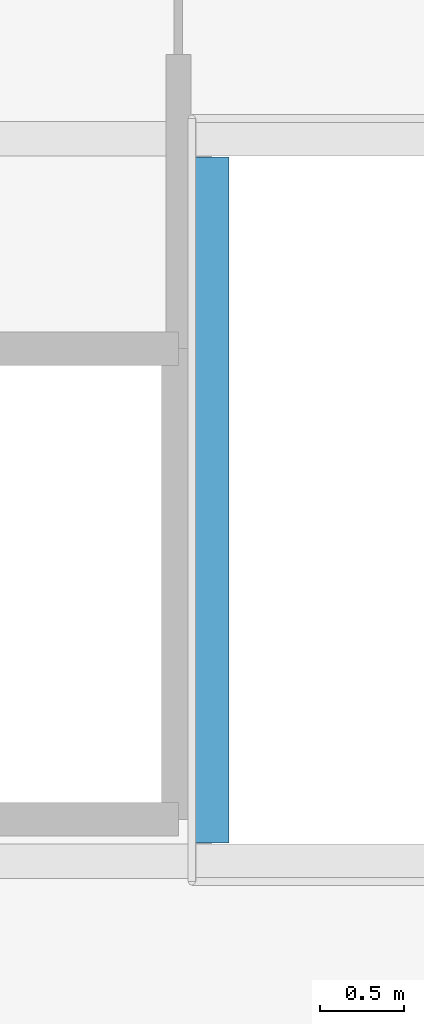
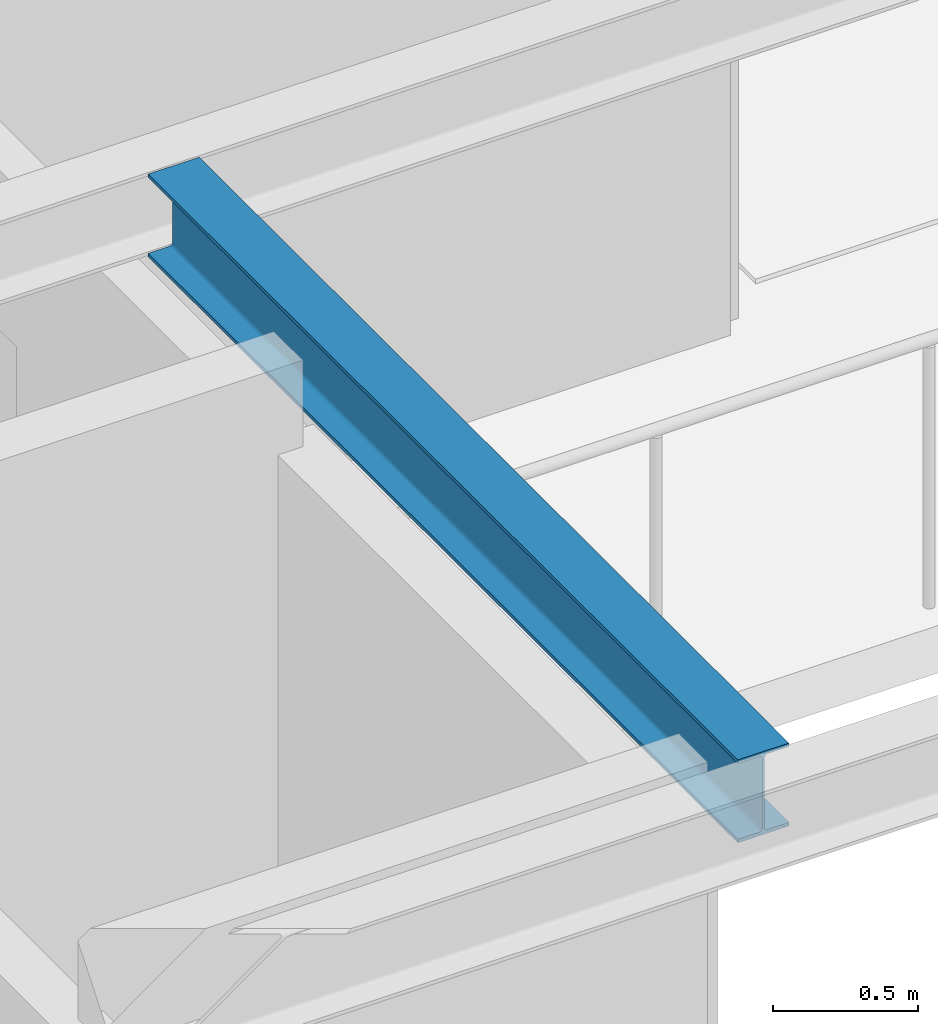
# One storey, part 10 of 31: 1 beam.
"""IFC4 building model written with IfcOpenShell, lengths in metres."""

from ifc_helpers import new_model, si_unit, direction, frame, origin, origin_2d, place, context, subcontext, project, spatial, i_section, extrude, material, material_profile, profile_set, type_object, element, save


model = new_model("IFC4")

# Units and contexts
model_context = context("Model", 3, precision=1e-05, world=origin(), true_north=direction((0.0, 1.0)))
body_context = subcontext(model_context, "Body", "Model", "MODEL_VIEW")
ifc_project = project(units=[si_unit("LENGTHUNIT", "METRE"), si_unit("AREAUNIT", "SQUARE_METRE"), si_unit("VOLUMEUNIT", "CUBIC_METRE"), si_unit("PLANEANGLEUNIT", "RADIAN"), si_unit("MASSUNIT", "GRAM", prefix="KILO")], contexts=[model_context])

# Site, building, storey
site_placement = place(None, origin())
site = spatial("IfcSite", under=ifc_project, at=site_placement, CompositionType="ELEMENT")
building_placement = place(site_placement, origin())
building = spatial("IfcBuilding", under=site, at=building_placement, Name="Kolvaren Belvedere", CompositionType="ELEMENT")
storey_placement = place(building_placement, frame((0.0, 0.0, 138.199951171875)))
storey = spatial("IfcBuildingStorey", under=building, at=storey_placement, Name="L40", CompositionType="ELEMENT", Elevation=138.199951171875)

# Beam
ifc_material = material(Name="Structural steel ASTM A992 Grade 50", Category="steel")
ifc_material_profile = material_profile(ifc_material, i_section(OverallWidth=0.2041015625, OverallDepth=0.35009765625, WebThickness=0.008544921875, FlangeThickness=0.01513671875, FilletRadius=0.013916015625, at=origin_2d()), Name="W14X48")
ifc_profile_set = profile_set([ifc_material_profile], Name="Structural steel ASTM A992 Grade 50")
beam_type = type_object("IfcBeamType", Name="BM-ATRIUM-W14X48", PredefinedType="BEAM", material=ifc_profile_set)
beam_placement = place(storey_placement, frame((-3.14990234375, -1.840087890625, 2.925048828125), z_axis=(0.0, 1.0, 0.0), x_axis=(-1.0, 0.0, 0.0)))
element("IfcBeam", 1, at=beam_placement, inside=storey, type_object=beam_type, Name="L40 Central Atrium West Edge Beam AW", PredefinedType="BEAM", context=body_context, shape_type="SweptSolid", body=[
    extrude(i_section(OverallWidth=0.2041015625, OverallDepth=0.35009765625, WebThickness=0.008544921875, FlangeThickness=0.01513671875, FilletRadius=0.013916015625, at=origin_2d()), origin(), (0.0, 0.0, 1.0), 4.080078125),
])

save(model, "model.ifc")
